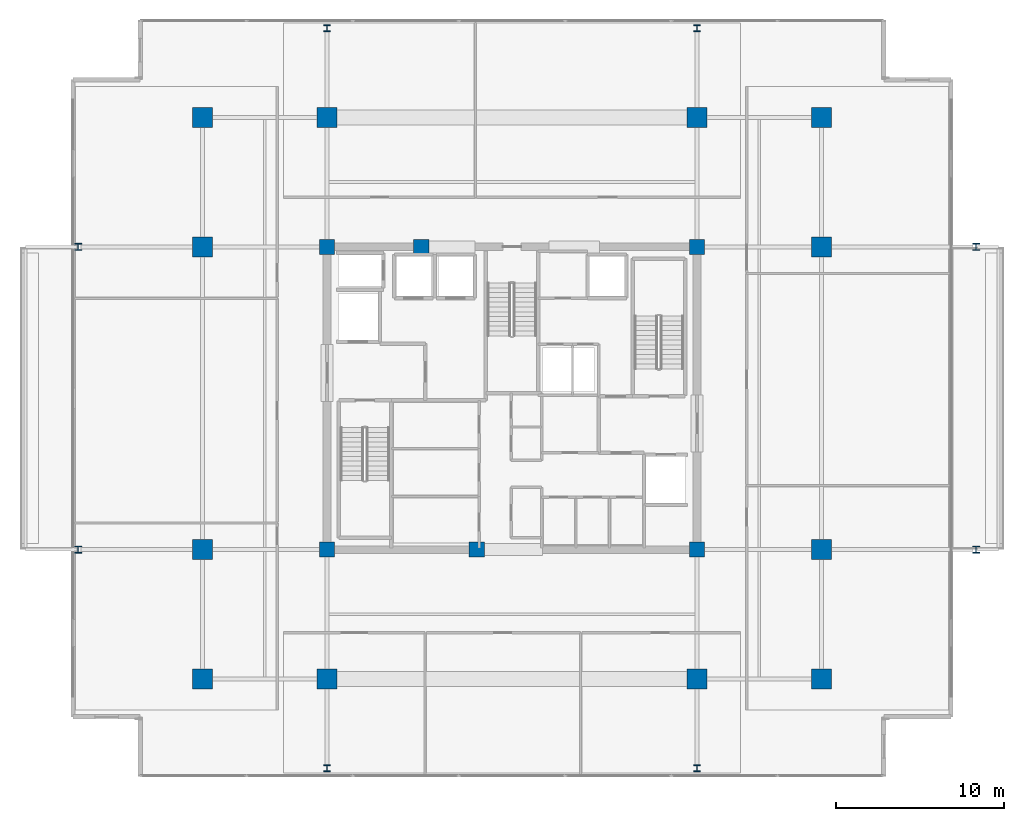
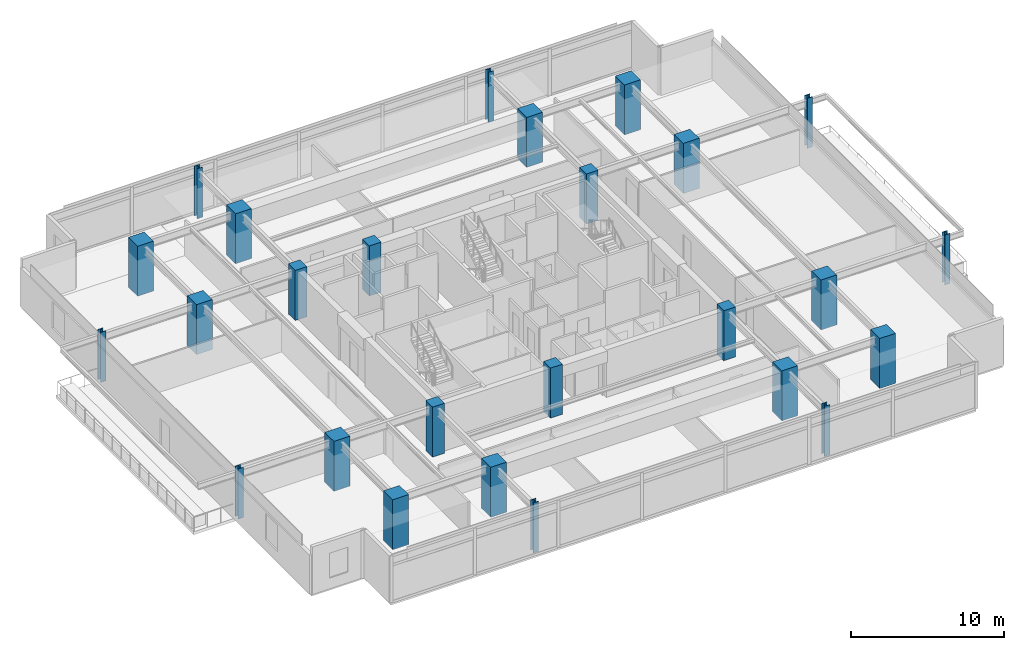
# One storey, part 1 of 24: 26 columns.
"""IFC4 building model written with IfcOpenShell, lengths in metres."""

from ifc_helpers import new_model, si_unit, direction, frame, origin, origin_2d, place, context, subcontext, project, spatial, rectangle, i_section, extrude, material, material_profile, profile_set, type_object, element, save


model = new_model("IFC4")

# Units and contexts
model_context = context("Model", 3, precision=1e-05, world=origin(), true_north=direction((0.0, 1.0)))
body_context = subcontext(model_context, "Body", "Model", "MODEL_VIEW")
ifc_project = project(units=[si_unit("LENGTHUNIT", "METRE"), si_unit("AREAUNIT", "SQUARE_METRE"), si_unit("VOLUMEUNIT", "CUBIC_METRE"), si_unit("PLANEANGLEUNIT", "RADIAN"), si_unit("MASSUNIT", "GRAM", prefix="KILO")], contexts=[model_context])

# Site, building, storey
site_placement = place(None, origin())
site = spatial("IfcSite", under=ifc_project, at=site_placement, CompositionType="ELEMENT")
building_placement = place(site_placement, origin())
building = spatial("IfcBuilding", under=site, at=building_placement, Name="Kovane Verandah Tower", CompositionType="ELEMENT")
storey_placement = place(building_placement, frame((0.0, 0.0, 271.199951171875)))
storey = spatial("IfcBuildingStorey", under=building, at=storey_placement, Name="L63", CompositionType="ELEMENT", Elevation=271.199951171875)

# Columns
ifc_material_1 = material(Name="Concrete C60/75", Category="concrete")
ifc_material_profile_1 = material_profile(ifc_material_1, rectangle(XDim=1.199951171875, YDim=1.199951171875, at=origin_2d()), Name="RC1200x1200")
ifc_profile_set_1 = profile_set([ifc_material_profile_1], Name="Concrete C60/75")
column_type_1 = type_object("IfcColumnType", Name="COL-RC1200", PredefinedType="COLUMN", material=ifc_profile_set_1)
for number, where, z_axis, x_axis, name in (
    (1, (29.0, 10.800048828125, 0.0), (0.0, 0.0, 1.0), (1.0, 0.0, 0.0), "L63 Tower Mega-Column MC-S1"),
    (2, (51.0, 10.800048828125, 0.0), (0.0, 0.0, 1.0), (1.0, 0.0, 0.0), "L63 Tower Mega-Column MC-S2"),
    (3, (29.0, 44.199951171875, 0.0), (0.0, 0.0, 1.0), (1.0, 0.0, 0.0), "L63 Tower Mega-Column MC-N1"),
    (4, (51.0, 44.199951171875, 0.0), (0.0, 0.0, 1.0), (1.0, 0.0, 0.0), "L63 Tower Mega-Column MC-N2"),
    (5, (21.60009765625, 18.5, 0.0), (0.0, 0.0, 1.0), (1.0, 0.0, 0.0), "L63 Tower Mega-Column MC-W1"),
    (6, (21.60009765625, 36.5, 0.0), (0.0, 0.0, 1.0), (1.0, 0.0, 0.0), "L63 Tower Mega-Column MC-W2"),
    (7, (58.39990234375, 18.5, 0.0), (0.0, 0.0, 1.0), (1.0, 0.0, 0.0), "L63 Tower Mega-Column MC-E1"),
    (8, (58.39990234375, 36.5, 0.0), (0.0, 0.0, 1.0), (1.0, 0.0, 0.0), "L63 Tower Mega-Column MC-E2"),
    (9, (21.60009765625, 10.800048828125, 0.0), (0.0, 0.0, 1.0), (1.0, 0.0, 0.0), "L63 Tower Mega-Column MC-SW"),
    (10, (58.39990234375, 10.800048828125, 0.0), (0.0, 0.0, 1.0), (1.0, 0.0, 0.0), "L63 Tower Mega-Column MC-SE"),
    (11, (21.60009765625, 44.199951171875, 0.0), (0.0, 0.0, 1.0), (1.0, 0.0, 0.0), "L63 Tower Mega-Column MC-NW"),
    (12, (58.39990234375, 44.199951171875, 0.0), (0.0, 0.0, 1.0), (1.0, 0.0, 0.0), "L63 Tower Mega-Column MC-NE"),
):
    element("IfcColumn", number, at=place(storey_placement, frame(where, z_axis=z_axis, x_axis=x_axis)), inside=storey, type_object=column_type_1, Name=name, PredefinedType="COLUMN", context=body_context, shape_type="SweptSolid", body=[
        extrude(rectangle(XDim=1.199951171875, YDim=1.199951171875, at=origin_2d()), origin(), (0.0, 0.0, 1.0), 4.0),
    ])
ifc_material_2 = material(Name="Steel S460", Category="steel")
ifc_material_profile_2 = material_profile(ifc_material_2, i_section(OverallWidth=0.403076171875, OverallDepth=0.406494140625, WebThickness=0.026611328125, FlangeThickness=0.04296875, FilletRadius=0.01513671875, at=origin_2d()), Name="UC356x406x340")
ifc_profile_set_2 = profile_set([ifc_material_profile_2], Name="Steel S460")
column_type_2 = type_object("IfcColumnType", Name="COL-UC340", PredefinedType="COLUMN", material=ifc_profile_set_2)
for number, where, z_axis, x_axis, name in (
    (13, (14.199951171875, 18.5, 0.0), (0.0, 0.0, 1.0), (1.0, 0.0, 0.0), "L63 Verandah Perimeter Column VC-W1"),
    (14, (14.199951171875, 36.5, 0.0), (0.0, 0.0, 1.0), (1.0, 0.0, 0.0), "L63 Verandah Perimeter Column VC-W2"),
    (15, (67.60009765625, 18.5, 0.0), (0.0, 0.0, 1.0), (1.0, 0.0, 0.0), "L63 Verandah Perimeter Column VC-E1"),
    (16, (67.60009765625, 36.5, 0.0), (0.0, 0.0, 1.0), (1.0, 0.0, 0.0), "L63 Verandah Perimeter Column VC-E2"),
    (17, (29.0, 5.5, 0.0), (0.0, 0.0, 1.0), (1.0, 0.0, 0.0), "L63 Verandah Perimeter Column VC-S1"),
    (18, (51.0, 5.5, 0.0), (0.0, 0.0, 1.0), (1.0, 0.0, 0.0), "L63 Verandah Perimeter Column VC-S2"),
    (19, (29.0, 49.5, 0.0), (0.0, 0.0, 1.0), (1.0, 0.0, 0.0), "L63 Verandah Perimeter Column VC-N1"),
    (20, (51.0, 49.5, 0.0), (0.0, 0.0, 1.0), (1.0, 0.0, 0.0), "L63 Verandah Perimeter Column VC-N2"),
):
    element("IfcColumn", number, at=place(storey_placement, frame(where, z_axis=z_axis, x_axis=x_axis)), inside=storey, type_object=column_type_2, Name=name, PredefinedType="COLUMN", context=body_context, shape_type="SweptSolid", body=[
        extrude(i_section(OverallWidth=0.403076171875, OverallDepth=0.406494140625, WebThickness=0.026611328125, FlangeThickness=0.04296875, FilletRadius=0.01513671875, at=origin_2d()), origin(), (0.0, 0.0, 1.0), 4.0),
    ])
ifc_material_profile_3 = material_profile(ifc_material_1, rectangle(XDim=0.89990234375, YDim=0.89990234375, at=origin_2d()), Name="RC900x900")
ifc_profile_set_3 = profile_set([ifc_material_profile_3], Name="Concrete C60/75")
column_type_3 = type_object("IfcColumnType", Name="PIL-RC900", PredefinedType="PILASTER", material=ifc_profile_set_3)
for number, where, z_axis, x_axis, name in (
    (21, (29.0, 18.5, 0.0), (0.0, 0.0, 1.0), (1.0, 0.0, 0.0), "L63 Core Pilaster CP-SW"),
    (22, (51.0, 18.5, 0.0), (0.0, 0.0, 1.0), (1.0, 0.0, 0.0), "L63 Core Pilaster CP-SE"),
    (23, (29.0, 36.5, 0.0), (0.0, 0.0, 1.0), (1.0, 0.0, 0.0), "L63 Core Pilaster CP-NW"),
    (24, (51.0, 36.5, 0.0), (0.0, 0.0, 1.0), (1.0, 0.0, 0.0), "L63 Core Pilaster CP-NE"),
    (25, (37.89990234375, 18.5, 0.0), (0.0, 0.0, 1.0), (1.0, 0.0, 0.0), "L63 Core Pilaster CP-S"),
    (26, (34.60009765625, 36.5, 0.0), (0.0, 0.0, 1.0), (1.0, 0.0, 0.0), "L63 Core Pilaster CP-N"),
):
    element("IfcColumn", number, at=place(storey_placement, frame(where, z_axis=z_axis, x_axis=x_axis)), inside=storey, type_object=column_type_3, Name=name, PredefinedType="PILASTER", context=body_context, shape_type="SweptSolid", body=[
        extrude(rectangle(XDim=0.89990234375, YDim=0.89990234375, at=origin_2d()), origin(), (0.0, 0.0, 1.0), 4.0),
    ])

save(model, "model.ifc")
